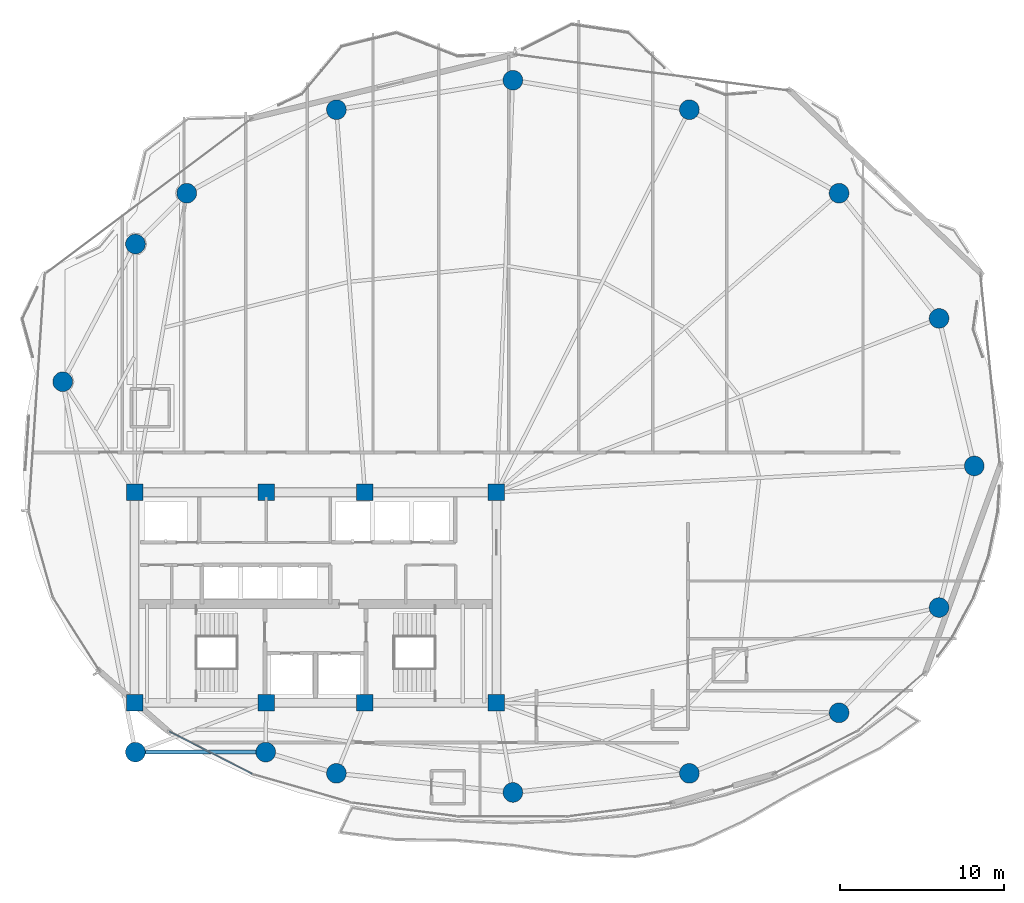
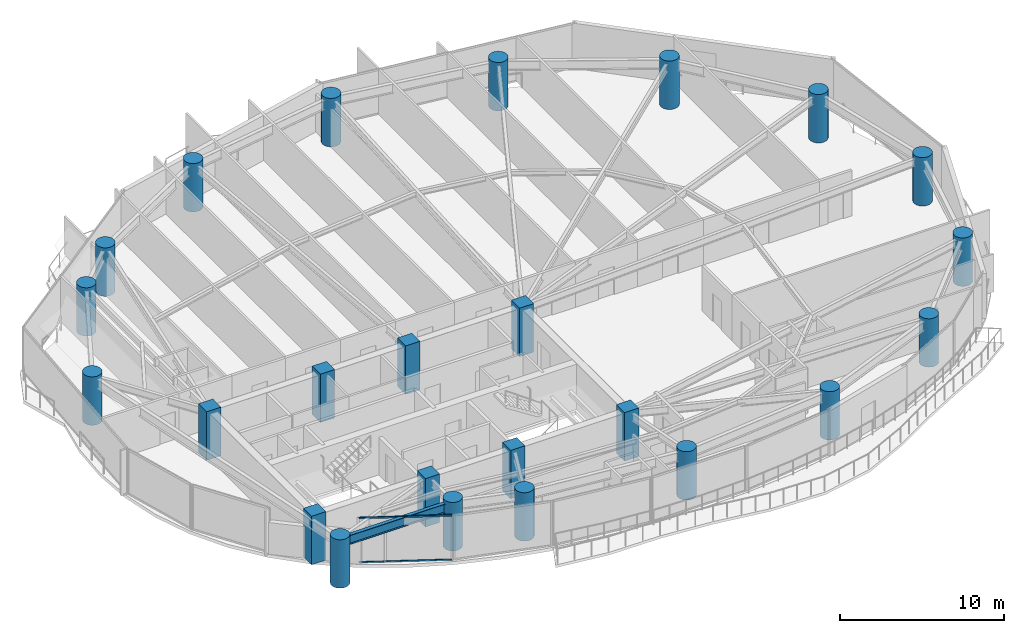
# One storey, part 1 of 31: 24 columns, 2 members, 1 beam, 1 element without a shape of its own.
"""IFC4 building model written with IfcOpenShell, lengths in metres."""

from ifc_helpers import new_model, si_unit, direction, frame, origin, origin_2d, place, context, subcontext, project, spatial, rectangle, hollow_rectangle, circle, i_section, extrude, material, layer, layer_set, material_profile, profile_set, type_object, element, aggregate, save


model = new_model("IFC4")

# Units and contexts
model_context = context("Model", 3, precision=1e-05, world=origin(), true_north=direction((0.0, 1.0)))
body_context = subcontext(model_context, "Body", "Model", "MODEL_VIEW")
ifc_project = project(units=[si_unit("LENGTHUNIT", "METRE"), si_unit("AREAUNIT", "SQUARE_METRE"), si_unit("VOLUMEUNIT", "CUBIC_METRE"), si_unit("PLANEANGLEUNIT", "RADIAN"), si_unit("MASSUNIT", "GRAM", prefix="KILO")], contexts=[model_context])

# Site, building, storey
site_placement = place(None, origin())
site = spatial("IfcSite", under=ifc_project, at=site_placement, CompositionType="ELEMENT")
building_placement = place(site_placement, origin())
building = spatial("IfcBuilding", under=site, at=building_placement, Name="Kazevale Care Tower and Concert Hall", CompositionType="ELEMENT")
storey_placement = place(building_placement, frame((0.0, 0.0, 124.199951171875)))
storey = spatial("IfcBuildingStorey", under=building, at=storey_placement, Name="L32", CompositionType="ELEMENT", Elevation=124.199951171875)

# Columns
ifc_material_1 = material(Name="Concrete C60", Category="concrete")
ifc_material_profile_1 = material_profile(ifc_material_1, rectangle(XDim=1.0, YDim=1.0, at=origin_2d()), Name="RC-SQ1000")
ifc_profile_set_1 = profile_set([ifc_material_profile_1], Name="Concrete C60")
column_type_1 = type_object("IfcColumnType", Name="Core Column SQ1000 C60", PredefinedType="COLUMN", material=ifc_profile_set_1)
for number, where, z_axis, x_axis, name in (
    (1, (22.0, 23.60009765625, 0.0), (0.0, 0.0, 1.0), (1.0, 0.0, 0.0), "col:L32:CC-01"),
    (2, (30.0, 23.60009765625, 0.0), (0.0, 0.0, 1.0), (1.0, 0.0, 0.0), "col:L32:CC-02"),
    (3, (36.0, 23.60009765625, 0.0), (0.0, 0.0, 1.0), (1.0, 0.0, 0.0), "col:L32:CC-03"),
    (4, (44.0, 23.60009765625, 0.0), (0.0, 0.0, 1.0), (1.0, 0.0, 0.0), "col:L32:CC-04"),
    (5, (44.0, 36.39990234375, 0.0), (0.0, 0.0, 1.0), (1.0, 0.0, 0.0), "col:L32:CC-05"),
    (6, (36.0, 36.39990234375, 0.0), (0.0, 0.0, 1.0), (1.0, 0.0, 0.0), "col:L32:CC-06"),
    (7, (30.0, 36.39990234375, 0.0), (0.0, 0.0, 1.0), (1.0, 0.0, 0.0), "col:L32:CC-07"),
    (8, (22.0, 36.39990234375, 0.0), (0.0, 0.0, 1.0), (1.0, 0.0, 0.0), "col:L32:CC-08"),
):
    element("IfcColumn", number, at=place(storey_placement, frame(where, z_axis=z_axis, x_axis=x_axis)), inside=storey, type_object=column_type_1, Name=name, PredefinedType="COLUMN", context=body_context, shape_type="SweptSolid", body=[
        extrude(rectangle(XDim=1.0, YDim=1.0, at=origin_2d()), origin(), (0.0, 0.0, 1.0), 3.60009765625),
    ])
ifc_material_profile_2 = material_profile(ifc_material_1, circle(Radius=0.60009765625, at=origin_2d()), Name="RC-CIR1200")
ifc_profile_set_2 = profile_set([ifc_material_profile_2], Name="Concrete C60")
column_type_2 = type_object("IfcColumnType", Name="Perimeter Column CIR1200 C60", PredefinedType="COLUMN", material=ifc_profile_set_2)
for number, where, z_axis, x_axis, name in (
    (9, (73.050048828125, 38.0, 0.0), (0.0, 0.0, 1.0), (1.0, 0.0, 0.0), "col:L32:PC-01"),
    (10, (70.909912109375, 46.969970703125, 0.0), (0.0, 0.0, 1.0), (1.0, 0.0, 0.0), "col:L32:PC-02"),
    (11, (64.830078125, 54.580078125, 0.0), (0.0, 0.0, 1.0), (1.0, 0.0, 0.0), "col:L32:PC-03"),
    (12, (55.72998046875, 59.659912109375, 0.0), (0.0, 0.0, 1.0), (1.0, 0.0, 0.0), "col:L32:PC-04"),
    (13, (45.0, 61.449951171875, 0.0), (0.0, 0.0, 1.0), (1.0, 0.0, 0.0), "col:L32:PC-05"),
    (14, (34.27001953125, 59.659912109375, 0.0), (0.0, 0.0, 1.0), (1.0, 0.0, 0.0), "col:L32:PC-06"),
    (15, (25.169921875, 54.580078125, 0.0), (0.0, 0.0, 1.0), (1.0, 0.0, 0.0), "col:L32:PC-07"),
    (16, (22.050048828125, 51.489990234375, 0.0), (0.0, 0.0, 1.0), (1.0, 0.0, 0.0), "col:L32:PC-08"),
    (17, (17.6298828125, 43.1201171875, 0.0), (0.0, 0.0, 1.0), (1.0, 0.0, 0.0), "col:L32:PC-09"),
    (18, (22.050048828125, 20.60009765625, 0.0), (0.0, 0.0, 1.0), (1.0, 0.0, 0.0), "col:L32:PC-10"),
    (19, (29.969970703125, 20.60009765625, 0.0), (0.0, 0.0, 1.0), (1.0, 0.0, 0.0), "col:L32:PC-11"),
    (20, (34.27001953125, 19.31005859375, 0.0), (0.0, 0.0, 1.0), (1.0, 0.0, 0.0), "col:L32:PC-12"),
    (21, (45.0, 18.14990234375, 0.0), (0.0, 0.0, 1.0), (1.0, 0.0, 0.0), "col:L32:PC-13"),
    (22, (55.72998046875, 19.31005859375, 0.0), (0.0, 0.0, 1.0), (1.0, 0.0, 0.0), "col:L32:PC-14"),
    (23, (64.830078125, 22.989990234375, 0.0), (0.0, 0.0, 1.0), (1.0, 0.0, 0.0), "col:L32:PC-15"),
    (24, (70.909912109375, 29.389892578125, 0.0), (0.0, 0.0, 1.0), (1.0, 0.0, 0.0), "col:L32:PC-16"),
):
    element("IfcColumn", number, at=place(storey_placement, frame(where, z_axis=z_axis, x_axis=x_axis)), inside=storey, type_object=column_type_2, Name=name, PredefinedType="COLUMN", context=body_context, shape_type="SweptSolid", body=[
        extrude(circle(Radius=0.60009765625, at=origin_2d()), origin(), (0.0, 0.0, 1.0), 3.60009765625),
    ])

# Curtain wall, members
ifc_material_2 = material(Name="Aluminium 6063-T6 and Low-E Glass", Category="aluminium")
ifc_layer = layer(ifc_material_2, 0.179931640625)
ifc_layer_set = layer_set([ifc_layer], Name="Aluminium 6063-T6 and Low-E Glass")
curtain_wall_type = type_object("IfcCurtainWallType", Name="Sheltered Concave Balcony Curtain Wall CW-5", PredefinedType="NOTDEFINED", material=ifc_layer_set)
curtain_wall_placement = place(storey_placement, origin())
curtain_wall = element("IfcCurtainWall", 25, at=curtain_wall_placement, inside=storey, type_object=curtain_wall_type, Name="cw:L32:f09", PredefinedType="NOTDEFINED")
ifc_material_3 = material(Name="Aluminium 6063-T6", Category="aluminium")
ifc_material_profile_3 = material_profile(ifc_material_3, hollow_rectangle(XDim=0.074951171875, YDim=0.1201171875, WallThickness=0.00390625, at=origin_2d()), Name="ALU75x120x4")
ifc_profile_set_3 = profile_set([ifc_material_profile_3], Name="Aluminium 6063-T6")
member_type = type_object("IfcMemberType", Name="CW-5 Transom ALU75x120x4", PredefinedType="USERDEFINED", material=ifc_profile_set_3)
member_1_placement = place(storey_placement, frame((29.144287109375, 19.279296875, 0.03759765625), z_axis=(-0.890142600475, 0.455682072084, 0.0), x_axis=(-0.455682072084, -0.890142600475, 0.0)))
member_1 = element("IfcMember", 26, at=member_1_placement, type_object=member_type, Name="CW-5 transom 1.1", ObjectType="TRANSOM", PredefinedType="USERDEFINED", context=body_context, shape_type="SweptSolid", body=[
    extrude(hollow_rectangle(XDim=0.074951171875, YDim=0.1201171875, WallThickness=0.00390625, at=origin_2d()), origin(), (0.0, 0.0, 1.0), 5.671630859375),
])
member_2_placement = place(storey_placement, frame((29.144287109375, 19.279296875, 3.322509765625), z_axis=(-0.890142600475, 0.455682072084, 0.0), x_axis=(-0.455682072084, -0.890142600475, 0.0)))
member_2 = element("IfcMember", 27, at=member_2_placement, type_object=member_type, Name="CW-5 transom 1.2", ObjectType="TRANSOM", PredefinedType="USERDEFINED", context=body_context, shape_type="SweptSolid", body=[
    extrude(hollow_rectangle(XDim=0.074951171875, YDim=0.1201171875, WallThickness=0.00390625, at=origin_2d()), origin(), (0.0, 0.0, 1.0), 5.671630859375),
])
aggregate(curtain_wall, [member_1, member_2])

# Beam
ifc_material_4 = material(Name="Steel ASTM A572 Gr 50", Category="steel")
ifc_material_profile_4 = material_profile(ifc_material_4, i_section(OverallWidth=0.256103515625, OverallDepth=0.693115234375, WebThickness=0.014404296875, FlangeThickness=0.023681640625, at=origin_2d()), Name="W690x170")
ifc_profile_set_4 = profile_set([ifc_material_profile_4], Name="Steel ASTM A572 Gr 50")
beam_type = type_object("IfcBeamType", Name="Waist Ring Beam W690x170", PredefinedType="BEAM", material=ifc_profile_set_4)
beam_placement = place(storey_placement, frame((22.050048828125, 20.60009765625, 3.013427734375), z_axis=(1.0, 0.0, 0.0), x_axis=(0.0, 1.0, 0.0)))
element("IfcBeam", 28, at=beam_placement, inside=storey, type_object=beam_type, Name="beam:L32:ring:10", PredefinedType="BEAM", context=body_context, shape_type="SweptSolid", body=[
    extrude(i_section(OverallWidth=0.256103515625, OverallDepth=0.693115234375, WebThickness=0.014404296875, FlangeThickness=0.023681640625, at=origin_2d()), origin(), (0.0, 0.0, 1.0), 7.919921875),
])

save(model, "model.ifc")
